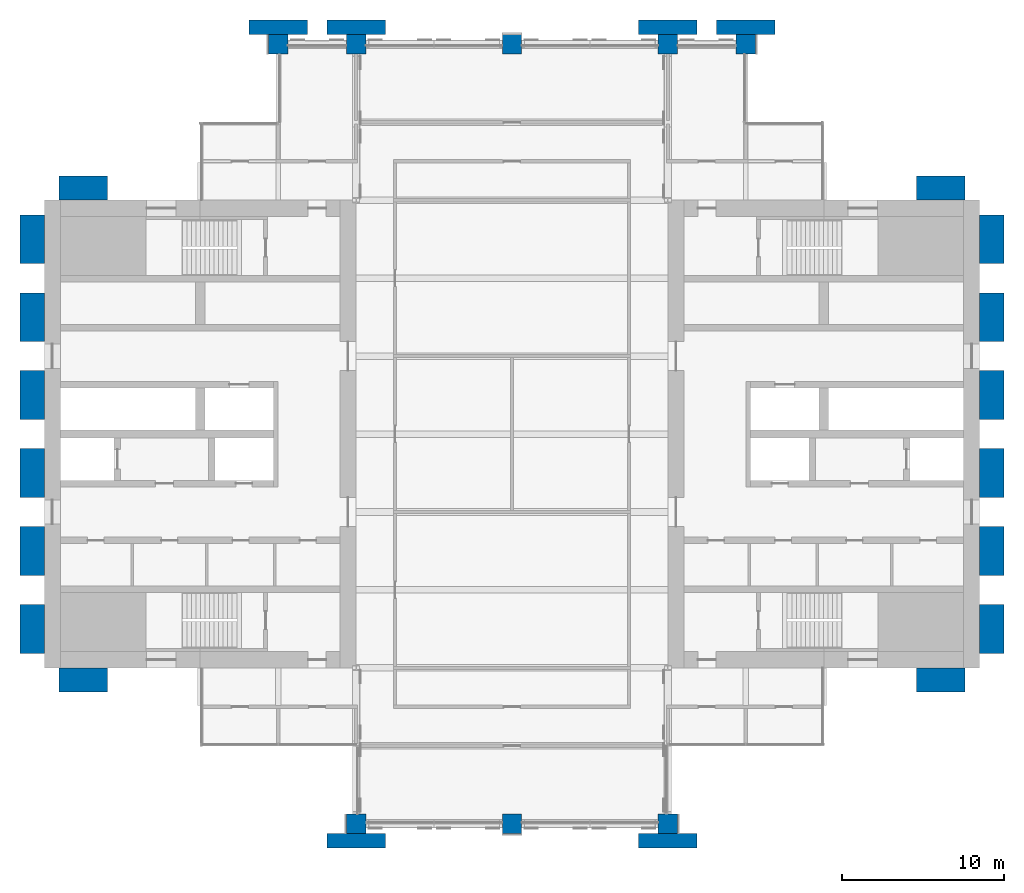
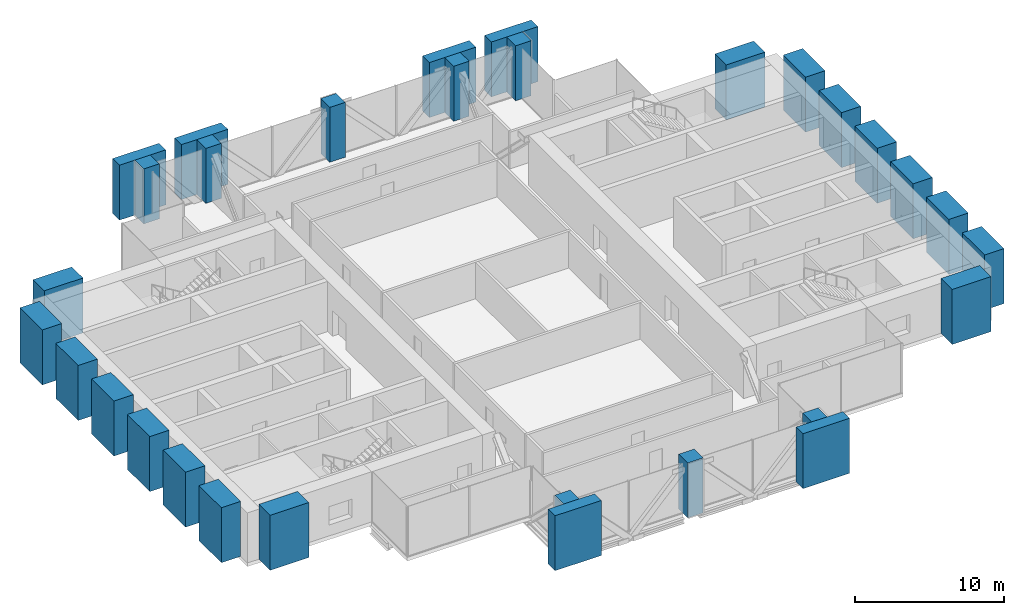
# One storey, part 1 of 14: 30 columns.
"""IFC4 building model written with IfcOpenShell, lengths in metres."""

from ifc_helpers import new_model, si_unit, direction, frame, origin, origin_2d, place, context, subcontext, project, spatial, rectangle, extrude, material, material_profile, profile_set, type_object, element, save


model = new_model("IFC4")

# Units and contexts
model_context = context("Model", 3, precision=1e-05, world=origin(), true_north=direction((0.0, 1.0)))
body_context = subcontext(model_context, "Body", "Model", "MODEL_VIEW")
ifc_project = project(units=[si_unit("LENGTHUNIT", "METRE"), si_unit("AREAUNIT", "SQUARE_METRE"), si_unit("VOLUMEUNIT", "CUBIC_METRE"), si_unit("PLANEANGLEUNIT", "RADIAN"), si_unit("MASSUNIT", "GRAM", prefix="KILO")], contexts=[model_context])

# Site, building, storey
site_placement = place(None, origin())
site = spatial("IfcSite", under=ifc_project, at=site_placement, CompositionType="ELEMENT")
building_placement = place(site_placement, origin())
building = spatial("IfcBuilding", under=site, at=building_placement, Name="Baori Bourse Tower", CompositionType="ELEMENT")
storey_placement = place(building_placement, frame((0.0, 0.0, 176.10009765625)))
storey = spatial("IfcBuildingStorey", under=building, at=storey_placement, Name="L39", CompositionType="ELEMENT", Elevation=176.10009765625)

# Columns
ifc_material_1 = material(Name="Concrete f'c 60 MPa", Category="concrete")
ifc_material_profile_1 = material_profile(ifc_material_1, rectangle(XDim=3.60009765625, YDim=0.89990234375, at=origin_2d()), Name="RC 3600x900")
ifc_profile_set_1 = profile_set([ifc_material_profile_1], Name="Concrete f'c 60 MPa")
column_type_1 = type_object("IfcColumnType", Name="FN3 Brick pilaster 3600x900", PredefinedType="PILASTER", material=ifc_profile_set_1)
for number, where, z_axis, x_axis, name in (
    (1, (19.199951171875, -1.050048828125, 0.0), (0.0, 0.0, 1.0), (1.0, 0.0, 0.0), "Brick pilaster L39 17"),
    (2, (38.39990234375, -1.050048828125, 0.0), (0.0, 0.0, 1.0), (1.0, 0.0, 0.0), "Brick pilaster L39 18"),
    (3, (14.39990234375, 49.050048828125, 0.0), (0.0, 0.0, 1.0), (1.0, 0.0, 0.0), "Brick pilaster L39 19"),
    (4, (19.199951171875, 49.050048828125, 0.0), (0.0, 0.0, 1.0), (1.0, 0.0, 0.0), "Brick pilaster L39 20"),
    (5, (38.39990234375, 49.050048828125, 0.0), (0.0, 0.0, 1.0), (1.0, 0.0, 0.0), "Brick pilaster L39 21"),
    (6, (43.199951171875, 49.050048828125, 0.0), (0.0, 0.0, 1.0), (1.0, 0.0, 0.0), "Brick pilaster L39 22"),
):
    element("IfcColumn", number, at=place(storey_placement, frame(where, z_axis=z_axis, x_axis=x_axis)), inside=storey, type_object=column_type_1, Name=name, PredefinedType="PILASTER", context=body_context, shape_type="SweptSolid", body=[
        extrude(rectangle(XDim=3.60009765625, YDim=0.89990234375, at=origin_2d()), origin(), (0.0, 0.0, 1.0), 4.5),
    ])
ifc_material_2 = material(Name="Concrete f'c 60 MPa", Category="concrete")
ifc_material_profile_2 = material_profile(ifc_material_2, rectangle(XDim=3.0, YDim=1.5, at=origin_2d()), Name="RC 3000x1500")
ifc_profile_set_2 = profile_set([ifc_material_profile_2], Name="Concrete f'c 60 MPa")
column_type_2 = type_object("IfcColumnType", Name="FN4 Brick flank pilaster 3000x1500", PredefinedType="PILASTER", material=ifc_profile_set_2)
for number, where, z_axis, x_axis, name in (
    (7, (55.199951171875, 8.85009765625, 0.0), (0.0, 0.0, 1.0), (1.0, 0.0, 0.0), "Brick pilaster L39 1"),
    (8, (58.35009765625, 12.0, 0.0), (0.0, 0.0, 1.0), (0.0, 1.0, 0.0), "Brick pilaster L39 2"),
    (9, (58.35009765625, 16.800048828125, 0.0), (0.0, 0.0, 1.0), (0.0, 1.0, 0.0), "Brick pilaster L39 3"),
    (10, (58.35009765625, 21.60009765625, 0.0), (0.0, 0.0, 1.0), (0.0, 1.0, 0.0), "Brick pilaster L39 4"),
    (11, (58.35009765625, 26.39990234375, 0.0), (0.0, 0.0, 1.0), (0.0, 1.0, 0.0), "Brick pilaster L39 5"),
    (12, (58.35009765625, 31.199951171875, 0.0), (0.0, 0.0, 1.0), (0.0, 1.0, 0.0), "Brick pilaster L39 6"),
    (13, (58.35009765625, 36.0, 0.0), (0.0, 0.0, 1.0), (0.0, 1.0, 0.0), "Brick pilaster L39 7"),
    (14, (55.199951171875, 39.14990234375, 0.0), (0.0, 0.0, 1.0), (1.0, 0.0, 0.0), "Brick pilaster L39 8"),
    (15, (2.39990234375, 39.14990234375, 0.0), (0.0, 0.0, 1.0), (1.0, 0.0, 0.0), "Brick pilaster L39 9"),
    (16, (-0.75, 12.0, 0.0), (0.0, 0.0, 1.0), (0.0, 1.0, 0.0), "Brick pilaster L39 10"),
    (17, (-0.75, 16.800048828125, 0.0), (0.0, 0.0, 1.0), (0.0, 1.0, 0.0), "Brick pilaster L39 11"),
    (18, (-0.75, 21.60009765625, 0.0), (0.0, 0.0, 1.0), (0.0, 1.0, 0.0), "Brick pilaster L39 12"),
    (19, (-0.75, 26.39990234375, 0.0), (0.0, 0.0, 1.0), (0.0, 1.0, 0.0), "Brick pilaster L39 13"),
    (20, (-0.75, 31.199951171875, 0.0), (0.0, 0.0, 1.0), (0.0, 1.0, 0.0), "Brick pilaster L39 14"),
    (21, (-0.75, 36.0, 0.0), (0.0, 0.0, 1.0), (0.0, 1.0, 0.0), "Brick pilaster L39 15"),
    (22, (2.39990234375, 8.85009765625, 0.0), (0.0, 0.0, 1.0), (1.0, 0.0, 0.0), "Brick pilaster L39 16"),
):
    element("IfcColumn", number, at=place(storey_placement, frame(where, z_axis=z_axis, x_axis=x_axis)), inside=storey, type_object=column_type_2, Name=name, PredefinedType="PILASTER", context=body_context, shape_type="SweptSolid", body=[
        extrude(rectangle(XDim=3.0, YDim=1.5, at=origin_2d()), origin(), (0.0, 0.0, 1.0), 4.5),
    ])
ifc_material_3 = material(Name="Concrete f'c 60 MPa", Category="concrete")
ifc_material_profile_3 = material_profile(ifc_material_3, rectangle(XDim=1.199951171875, YDim=1.199951171875, at=origin_2d()), Name="RC 1200x1200")
ifc_profile_set_3 = profile_set([ifc_material_profile_3], Name="Concrete f'c 60 MPa")
column_type_3 = type_object("IfcColumnType", Name="Perimeter column 60 RC 1200x1200", PredefinedType="COLUMN", material=ifc_profile_set_3)
for number, where, z_axis, x_axis, name in (
    (23, (19.199951171875, 0.0, 0.0), (0.0, 0.0, 1.0), (1.0, 0.0, 0.0), "Perimeter column L39"),
    (24, (28.800048828125, 0.0, 0.0), (0.0, 0.0, 1.0), (1.0, 0.0, 0.0), "Perimeter column L39"),
    (25, (38.39990234375, 0.0, 0.0), (0.0, 0.0, 1.0), (1.0, 0.0, 0.0), "Perimeter column L39"),
    (26, (14.39990234375, 48.0, 0.0), (0.0, 0.0, 1.0), (1.0, 0.0, 0.0), "Perimeter column L39"),
    (27, (19.199951171875, 48.0, 0.0), (0.0, 0.0, 1.0), (1.0, 0.0, 0.0), "Perimeter column L39"),
    (28, (28.800048828125, 48.0, 0.0), (0.0, 0.0, 1.0), (1.0, 0.0, 0.0), "Perimeter column L39"),
    (29, (38.39990234375, 48.0, 0.0), (0.0, 0.0, 1.0), (1.0, 0.0, 0.0), "Perimeter column L39"),
    (30, (43.199951171875, 48.0, 0.0), (0.0, 0.0, 1.0), (1.0, 0.0, 0.0), "Perimeter column L39"),
):
    element("IfcColumn", number, at=place(storey_placement, frame(where, z_axis=z_axis, x_axis=x_axis)), inside=storey, type_object=column_type_3, Name=name, PredefinedType="COLUMN", context=body_context, shape_type="SweptSolid", body=[
        extrude(rectangle(XDim=1.199951171875, YDim=1.199951171875, at=origin_2d()), origin(), (0.0, 0.0, 1.0), 4.5),
    ])

save(model, "model.ifc")
